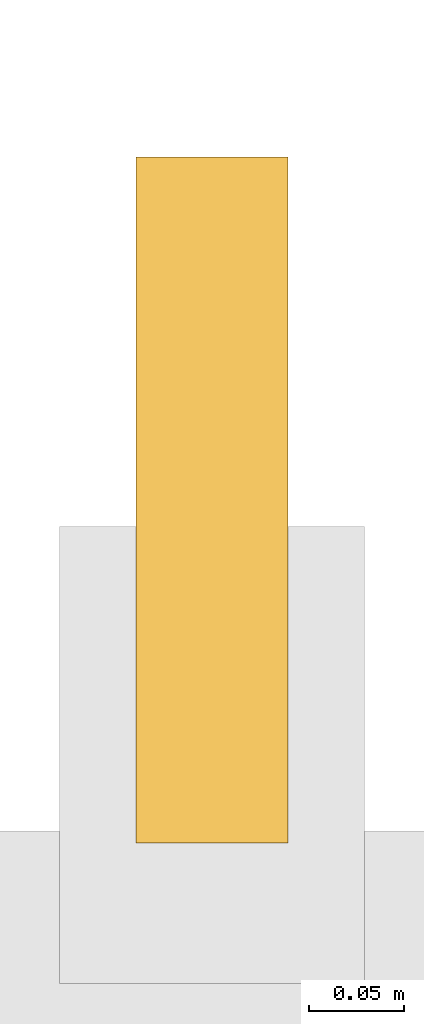
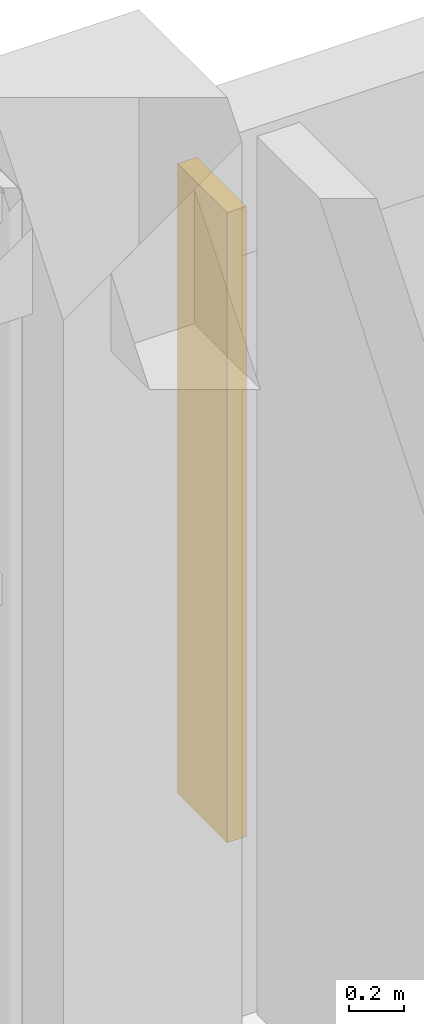
# One storey, part 127 of 128: 1 shading device.
"""IFC4 building model written with IfcOpenShell, lengths in metres."""

from ifc_helpers import new_model, si_unit, derived_unit, direction, frame, origin, origin_2d, place, context, subcontext, project, spatial, rectangle, extrude, material, type_object, element, save


model = new_model("IFC4")

# Units and contexts
model_context = context("Model", 3, precision=1e-05, world=origin(), true_north=direction((0.0, 1.0)))
body_context = subcontext(model_context, "Body", "Model", "MODEL_VIEW")
ifc_project = project(units=[si_unit("LENGTHUNIT", "METRE"), si_unit("AREAUNIT", "SQUARE_METRE"), si_unit("VOLUMEUNIT", "CUBIC_METRE"), si_unit("PLANEANGLEUNIT", "RADIAN"), si_unit("MASSUNIT", "GRAM", prefix="KILO"), derived_unit("THERMALTRANSMITTANCEUNIT", [(si_unit("MASSUNIT", "GRAM", prefix="KILO"), 1), (si_unit("TIMEUNIT", "SECOND"), -3), (si_unit("THERMODYNAMICTEMPERATUREUNIT", "KELVIN"), -1)])], contexts=[model_context])

# Site, building, storey
site_placement = place(None, origin())
site = spatial("IfcSite", under=ifc_project, at=site_placement, CompositionType="ELEMENT")
building_placement = place(site_placement, origin())
building = spatial("IfcBuilding", under=site, at=building_placement, Name="Zhenchuan Archway Interchange", CompositionType="ELEMENT")
storey_placement = place(building_placement, frame((0.0, 0.0, 14.39990234375)))
storey = spatial("IfcBuildingStorey", under=building, at=storey_placement, Name="L03", CompositionType="ELEMENT", Elevation=14.39990234375)

# Shading device
ifc_material = material(Name="Terracotta Ceramic", Category="masonry")
shading_device_type = type_object("IfcShadingDeviceType", Name="SHD_FIN_2", PredefinedType="USERDEFINED", material=ifc_material)
shading_device_placement = place(storey_placement, frame((162.653076171875, 104.323974609375, 0.55517578125), z_axis=(0.0, 0.0, 1.0), x_axis=(1.0, 0.0, 0.0)))
element("IfcShadingDevice", 1, at=shading_device_placement, inside=storey, type_object=shading_device_type, Name="Terracotta vertical solar fin L03-115", ObjectType="FINS", PredefinedType="USERDEFINED", context=body_context, shape_type="SweptSolid", body=[
    extrude(rectangle(XDim=0.080078125, YDim=0.360107421875, at=origin_2d()), origin(), (0.0, 0.0, 1.0), 2.800048828125),
])

save(model, "model.ifc")
